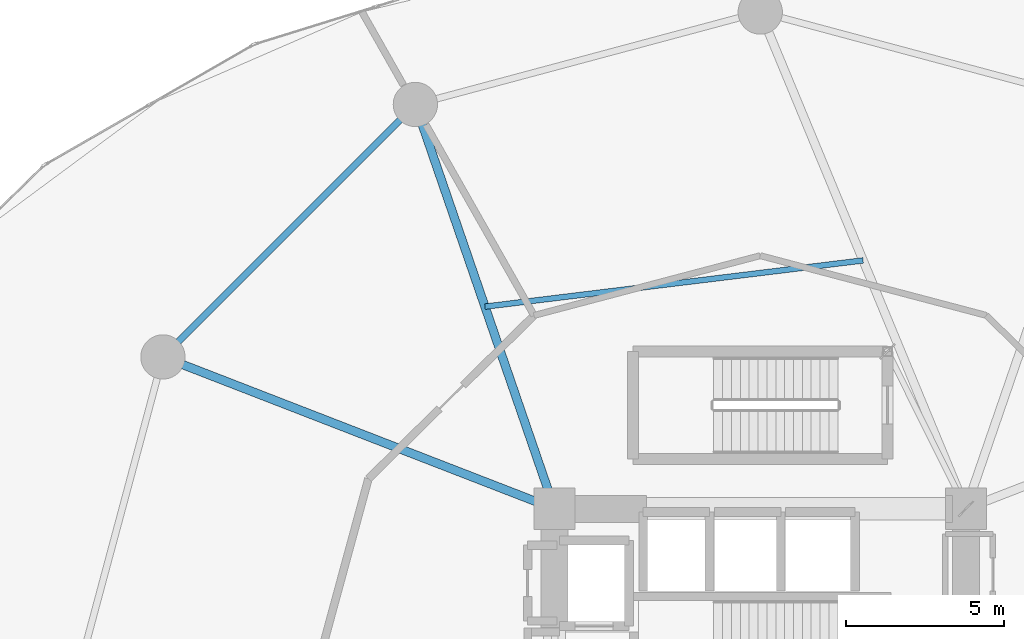
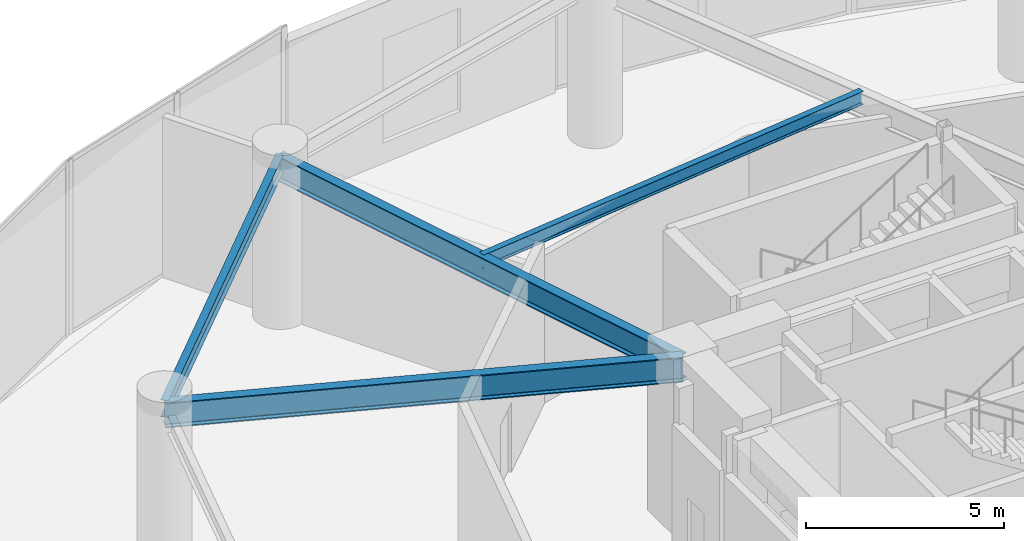
# One storey, part 15 of 29: 4 beams.
"""IFC4 building model written with IfcOpenShell, lengths in metres."""

from ifc_helpers import new_model, si_unit, direction, frame, origin, origin_2d, place, context, subcontext, project, spatial, i_section, extrude, material, material_profile, profile_set, type_object, element, save


model = new_model("IFC4")

# Units and contexts
model_context = context("Model", 3, precision=1e-05, world=origin(), true_north=direction((0.0, 1.0)))
body_context = subcontext(model_context, "Body", "Model", "MODEL_VIEW")
ifc_project = project(units=[si_unit("LENGTHUNIT", "METRE"), si_unit("AREAUNIT", "SQUARE_METRE"), si_unit("VOLUMEUNIT", "CUBIC_METRE"), si_unit("PLANEANGLEUNIT", "RADIAN"), si_unit("MASSUNIT", "GRAM", prefix="KILO")], contexts=[model_context])

# Site, building, storey
site_placement = place(None, origin())
site = spatial("IfcSite", under=ifc_project, at=site_placement, CompositionType="ELEMENT")
building_placement = place(site_placement, origin())
building = spatial("IfcBuilding", under=site, at=building_placement, Name="Solvirekh Grand Hotel", CompositionType="ELEMENT")
storey_placement = place(building_placement, frame((0.0, 0.0, 7.199951171875)))
storey = spatial("IfcBuildingStorey", under=building, at=storey_placement, Name="L01", CompositionType="ELEMENT", Elevation=7.199951171875)

# Beams
ifc_material = material(Name="Steel S355", Category="steel")
ifc_material_profile_1 = material_profile(ifc_material, i_section(OverallWidth=0.27001953125, OverallDepth=0.77294921875, WebThickness=0.01806640625, FlangeThickness=0.031005859375, FilletRadius=0.01806640625, at=origin_2d()), Name="W760X257")
ifc_profile_set_1 = profile_set([ifc_material_profile_1], Name="Steel S355")
beam_type_1 = type_object("IfcBeamType", Name="Beam_Ballroom_W760", PredefinedType="BEAM", material=ifc_profile_set_1)
beam_1_placement = place(storey_placement, frame((-6.5, 6.10009765625, 4.593017578125), z_axis=(-0.325555300394, 0.94552300151, 0.0), x_axis=(-0.94552300151, -0.325555300394, 0.0)))
element("IfcBeam", 1, at=beam_1_placement, inside=storey, type_object=beam_type_1, Name="L01 radial floor beam R05", PredefinedType="BEAM", context=body_context, shape_type="SweptSolid", body=[
    extrude(i_section(OverallWidth=0.27001953125, OverallDepth=0.77294921875, WebThickness=0.01806640625, FlangeThickness=0.031005859375, FilletRadius=0.01806640625, at=origin_2d()), origin(), (0.0, 0.0, 1.0), 13.51513671875),
])
beam_2_placement = place(storey_placement, frame((-6.5, 6.10009765625, 4.593017578125), z_axis=(-0.932365862704, 0.361516110381, 0.0), x_axis=(-0.361516110381, -0.932365862704, 0.0)))
element("IfcBeam", 2, at=beam_2_placement, inside=storey, type_object=beam_type_1, Name="L01 radial floor beam R06", PredefinedType="BEAM", context=body_context, shape_type="SweptSolid", body=[
    extrude(i_section(OverallWidth=0.27001953125, OverallDepth=0.77294921875, WebThickness=0.01806640625, FlangeThickness=0.031005859375, FilletRadius=0.01806640625, at=origin_2d()), origin(), (0.0, 0.0, 1.0), 13.27685546875),
])
ifc_material_profile_2 = material_profile(ifc_material, i_section(OverallWidth=0.177978515625, OverallDepth=0.406982421875, WebThickness=0.008056640625, FlangeThickness=0.011962890625, FilletRadius=0.011962890625, at=origin_2d()), Name="W410X60")
ifc_profile_set_2 = profile_set([ifc_material_profile_2], Name="Steel S355")
beam_type_2 = type_object("IfcBeamType", Name="Joist_Floor_W410", PredefinedType="JOIST", material=ifc_profile_set_2)
beam_3_placement = place(storey_placement, frame((3.25, 13.949951171875, 4.776123046875), z_axis=(-0.992609637169, -0.121351177167, 0.0), x_axis=(0.121351177167, -0.992609637169, 0.0)))
element("IfcBeam", 3, at=beam_3_placement, inside=storey, type_object=beam_type_2, Name="L01 secondary composite floor joist 4", PredefinedType="JOIST", context=body_context, shape_type="SweptSolid", body=[
    extrude(i_section(OverallWidth=0.177978515625, OverallDepth=0.406982421875, WebThickness=0.008056640625, FlangeThickness=0.011962890625, FilletRadius=0.011962890625, at=origin_2d()), origin(), (0.0, 0.0, 1.0), 12.038818359375),
])
ifc_material_profile_3 = material_profile(ifc_material, i_section(OverallWidth=0.208984375, OverallDepth=0.532958984375, WebThickness=0.010009765625, FlangeThickness=0.014892578125, FilletRadius=0.013916015625, at=origin_2d()), Name="W530X92")
ifc_profile_set_3 = profile_set([ifc_material_profile_3], Name="Steel S355")
beam_type_3 = type_object("IfcBeamType", Name="Spandrel_Ring_W530", PredefinedType="SPANDREL", material=ifc_profile_set_3)
beam_4_placement = place(storey_placement, frame((-10.89990234375, 18.87890625, 4.713134765625), z_axis=(-0.707106781187, -0.707106781187, 0.0), x_axis=(0.707106781187, -0.707106781187, 0.0)))
element("IfcBeam", 4, at=beam_4_placement, inside=storey, type_object=beam_type_3, Name="L01 perimeter spandrel beam 5", PredefinedType="SPANDREL", context=body_context, shape_type="SweptSolid", body=[
    extrude(i_section(OverallWidth=0.208984375, OverallDepth=0.532958984375, WebThickness=0.010009765625, FlangeThickness=0.014892578125, FilletRadius=0.013916015625, at=origin_2d()), origin(), (0.0, 0.0, 1.0), 11.283935546875),
])

save(model, "model.ifc")
